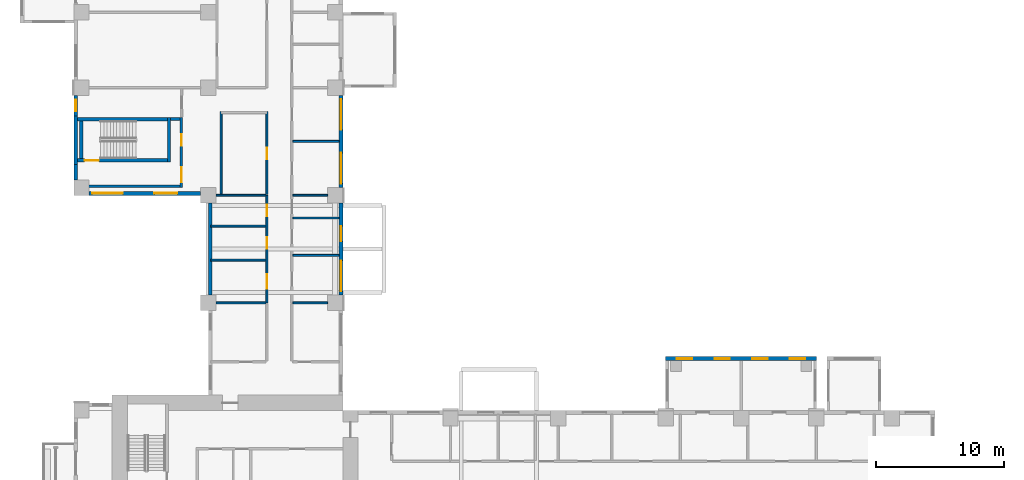
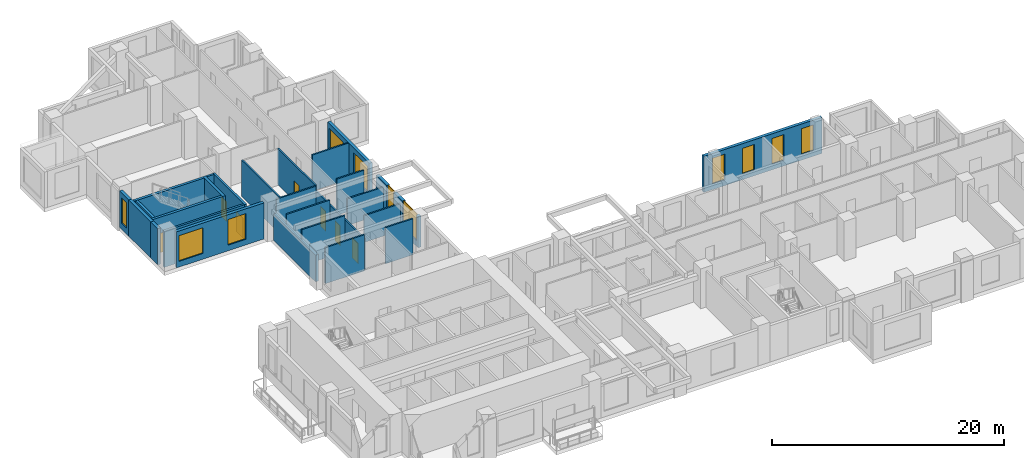
# One storey, part 6 of 15: 27 walls, 11 windows, 7 doors, 18 openings.
"""IFC4 building model written with IfcOpenShell, lengths in metres."""

import ifcopenshell
import ifcopenshell.guid

model = None  # the IFC model being written
_history = None  # IfcOwnerHistory: only IFC2X3 demands one
_inside = {}  # id of a spatial element -> (the spatial element, [elements in it])
_under = {}  # id of a project, library or spatial element -> (it, [spatial elements below it])
_declared = {}  # id of a project -> (the project, [libraries it declares])
_typed = {}  # id of a type object -> (the type object, [elements of that type])
_made_of = {}  # id of a material, layer set ... -> (it, [elements and type objects made of it])


def new_model(schema):
    """Start an empty IFC model of exactly this schema.

    Asked for "IFC4X3", IfcOpenShell would pick the latest addendum, in which some entities
    have other attributes; the version numbers below select the first issue.
    IFC2X3 requires an IfcOwnerHistory on every rooted entity: one is made here for all.
    """
    global model, _history
    if schema == "IFC4X3":
        model = ifcopenshell.file(schema_version=(4, 3, 0, 0))
    else:
        model = ifcopenshell.file(schema=schema)
    _inside.clear()
    _under.clear()
    _declared.clear()
    _typed.clear()
    _made_of.clear()
    _history = None
    if model.schema == "IFC2X3":
        org = make("IfcOrganization", Name="unknown")
        user = make(
            "IfcPersonAndOrganization",
            ThePerson=make("IfcPerson", FamilyName="unknown"),
            TheOrganization=org,
        )
        app = make(
            "IfcApplication",
            ApplicationDeveloper=org,
            Version="unknown",
            ApplicationFullName="unknown",
            ApplicationIdentifier="unknown",
        )
        _history = make(
            "IfcOwnerHistory",
            OwningUser=user,
            OwningApplication=app,
            ChangeAction="ADDED",
            CreationDate=0,
        )
    return model


def make(cls, **values):
    """One entity of the class cls with the attributes given. An attribute that is None is left unset."""
    return model.create_entity(
        cls, **{name: value for name, value in values.items() if value is not None}
    )


def rooted(cls, **values):
    """An entity with a GlobalId (a new one), such as an element, a storey or a relation."""
    return make(cls, GlobalId=ifcopenshell.guid.new(), OwnerHistory=_history, **values)


def si_unit(unit_type, name, prefix=None):
    """IfcSIUnit, for example si_unit("LENGTHUNIT", "METRE", prefix="MILLI")."""
    return make("IfcSIUnit", UnitType=unit_type, Prefix=prefix, Name=name)


def assignment(units):
    """IfcUnitAssignment: the units of a project."""
    return None if units is None else make("IfcUnitAssignment", Units=units)


def point(xyz):
    """IfcCartesianPoint."""
    return None if xyz is None else make("IfcCartesianPoint", Coordinates=xyz)


def direction(xyz):
    """IfcDirection."""
    return None if xyz is None else make("IfcDirection", DirectionRatios=xyz)


def frame(location, z_axis=None, x_axis=None):
    """IfcAxis2Placement3D, a coordinate frame: its origin and axes. An axis left out is left unset."""
    return make(
        "IfcAxis2Placement3D",
        Location=point(location),
        Axis=direction(z_axis),
        RefDirection=direction(x_axis),
    )


def frame_2d(location, x_axis=None):
    """IfcAxis2Placement2D, a coordinate frame in the plane: its origin and x axis."""
    return make(
        "IfcAxis2Placement2D", Location=point(location), RefDirection=direction(x_axis)
    )


def origin():
    """The frame at (0, 0, 0) with its axes left unset."""
    return frame((0.0, 0.0, 0.0))


def place(relative_to, where):
    """IfcLocalPlacement: puts the frame where relative to a parent placement (None: the world)."""
    return make(
        "IfcLocalPlacement", PlacementRelTo=relative_to, RelativePlacement=where
    )


def context(
    kind, dimensions, precision=None, world=None, true_north=None, identifier=None
):
    """IfcGeometricRepresentationContext, for example the 3D "Model" context."""
    return make(
        "IfcGeometricRepresentationContext",
        ContextIdentifier=identifier,
        ContextType=kind,
        CoordinateSpaceDimension=dimensions,
        Precision=precision,
        WorldCoordinateSystem=world,
        TrueNorth=true_north,
    )


def subcontext(parent, identifier, kind, view, scale=None):
    """IfcGeometricRepresentationSubContext, for example "Body" below "Model"."""
    return make(
        "IfcGeometricRepresentationSubContext",
        ContextIdentifier=identifier,
        ContextType=kind,
        ParentContext=parent,
        TargetScale=scale,
        TargetView=view,
    )


def project(units=None, contexts=None):
    """IfcProject with its units and contexts."""
    return rooted(
        "IfcProject",
        Name="project",
        RepresentationContexts=contexts,
        UnitsInContext=assignment(units),
    )


def spatial(cls, under=None, at=None, **own):
    """A site, building, storey or space (cls), placed at a placement, below another one or the project."""
    s = rooted(cls, ObjectPlacement=at, **own)
    if under is not None:
        _under.setdefault(under.id(), (under, []))[1].append(s)
    return s


def profile(cls, at=None, kind="AREA", **sizes):
    """A parametric profile (cls). Its sizes go by their IFC names, for example OverallWidth=200.0."""
    return make(cls, ProfileType=kind, Position=at, **sizes)


def rectangle(**sizes):
    """IfcRectangleProfileDef."""
    return profile("IfcRectangleProfileDef", **sizes)


def extrude(swept, where, along, depth):
    """IfcExtrudedAreaSolid: the profile swept, set in the frame where, extruded along a direction by depth."""
    return make(
        "IfcExtrudedAreaSolid",
        SweptArea=swept,
        Position=where,
        ExtrudedDirection=direction(along),
        Depth=depth,
    )


def shape(context_of_items, identifier, shape_type, items):
    """IfcShapeRepresentation: the items that make up one representation, for example the "Body"."""
    return make(
        "IfcShapeRepresentation",
        ContextOfItems=context_of_items,
        RepresentationIdentifier=identifier,
        RepresentationType=shape_type,
        Items=items,
    )


def source(mapping_origin, context_of_items, identifier, shape_type, items):
    """IfcRepresentationMap: a shape defined once, which mapped items show again and again."""
    return make(
        "IfcRepresentationMap",
        MappingOrigin=mapping_origin,
        MappedRepresentation=shape(context_of_items, identifier, shape_type, items),
    )


def transform(
    local_origin,
    x_axis=None,
    y_axis=None,
    z_axis=None,
    scale=None,
    scale2=None,
    scale3=None,
    uniform=True,
):
    """IfcCartesianTransformationOperator3D, or its non-uniform kind. x_axis, y_axis, z_axis: its Axis1, 2, 3."""
    if uniform:
        return make(
            "IfcCartesianTransformationOperator3D",
            Axis1=direction(x_axis),
            Axis2=direction(y_axis),
            LocalOrigin=point(local_origin),
            Scale=scale,
            Axis3=direction(z_axis),
        )
    return make(
        "IfcCartesianTransformationOperator3DnonUniform",
        Axis1=direction(x_axis),
        Axis2=direction(y_axis),
        LocalOrigin=point(local_origin),
        Scale=scale,
        Axis3=direction(z_axis),
        Scale2=scale2,
        Scale3=scale3,
    )


def mapped(mapping_source, mapping_target):
    """IfcMappedItem: shows the shape of a source again, moved by a transform."""
    return make(
        "IfcMappedItem", MappingSource=mapping_source, MappingTarget=mapping_target
    )


def material(Name=None, Category=None):
    """IfcMaterial."""
    return make("IfcMaterial", Name=Name, Category=Category)


def layer(
    of_material, thickness, ventilated=None, Name=None, Category=None, Priority=None
):
    """IfcMaterialLayer: one layer of a wall or slab, of a material (None: an air gap)."""
    return make(
        "IfcMaterialLayer",
        Material=of_material,
        LayerThickness=thickness,
        IsVentilated=ventilated,
        Name=Name,
        Category=Category,
        Priority=Priority,
    )


def layer_set(layers, Name=None):
    """IfcMaterialLayerSet."""
    return make("IfcMaterialLayerSet", MaterialLayers=layers, LayerSetName=Name)


def made_of(thing, what):
    """Note that an element or type object is made of a material, layer set ...; save() writes the relation."""
    if what is not None:
        _made_of.setdefault(what.id(), (what, []))[1].append(thing)
    return thing


def type_object(cls, material=None, **own):
    """A type object (cls), such as IfcWallType, which elements share."""
    return made_of(rooted(cls, **own), material)


def element(
    cls,
    number,
    at=None,
    inside=None,
    cuts=None,
    type_object=None,
    material=None,
    context=None,
    identifier="Body",
    shape_type=None,
    held_by="IfcProductDefinitionShape",
    body=None,
    shapes=None,
    **own,
):
    """One element of the class cls, such as IfcWall. Its Tag is "e" and its number.

    at: its placement. inside: the storey or other place that contains it. cuts: it is an
    opening in that element (IfcRelVoidsElement). A single representation is given by context,
    identifier, shape_type and body (its items); several are given by shapes. held_by: the class
    of the entity that holds the representations. save() writes the other relations.
    """
    e = rooted(cls, Tag="e%d" % number, ObjectPlacement=at, **own)
    if body is not None:
        shapes = [shape(context, identifier, shape_type, body)]
    if shapes is not None:
        e.Representation = make(held_by, Representations=shapes)
    if inside is not None:
        _inside.setdefault(inside.id(), (inside, []))[1].append(e)
    if cuts is not None:
        rooted(
            "IfcRelVoidsElement", RelatingBuildingElement=cuts, RelatedOpeningElement=e
        )
    if type_object is not None:
        _typed.setdefault(type_object.id(), (type_object, []))[1].append(e)
    return made_of(e, material)


def fill(opening, filler):
    """IfcRelFillsElement: the door or window that sits in an opening."""
    return rooted(
        "IfcRelFillsElement",
        RelatingOpeningElement=opening,
        RelatedBuildingElement=filler,
    )


def aggregate(whole, parts):
    """IfcRelAggregates: a whole, such as a stair, and the parts it consists of."""
    return rooted("IfcRelAggregates", RelatingObject=whole, RelatedObjects=parts)


def save(model, path):
    """Write the relations noted so far, then the file.

    IfcRelAggregates (storeys below a building ...), IfcRelContainedInSpatialStructure (elements
    in a storey), IfcRelDefinesByType, IfcRelAssociatesMaterial and IfcRelDeclares: one each for
    every whole, place, type object, material and project.
    """
    for whole, parts in _under.values():
        aggregate(whole, parts)
    for where, things in _inside.values():
        rooted(
            "IfcRelContainedInSpatialStructure",
            RelatedElements=things,
            RelatingStructure=where,
        )
    for kind, things in _typed.values():
        rooted("IfcRelDefinesByType", RelatedObjects=things, RelatingType=kind)
    for what, things in _made_of.values():
        rooted("IfcRelAssociatesMaterial", RelatedObjects=things, RelatingMaterial=what)
    for by, libraries in _declared.values():
        rooted("IfcRelDeclares", RelatingContext=by, RelatedDefinitions=libraries)
    model.write(path)


model = new_model("IFC4")

# Units and contexts
model_context = context("Model", 3, precision=1e-05, world=origin(), true_north=direction((0.0, 1.0)))
body_context = subcontext(model_context, "Body", "Model", "MODEL_VIEW")
ifc_project = project(units=[si_unit("LENGTHUNIT", "METRE"), si_unit("AREAUNIT", "SQUARE_METRE"), si_unit("VOLUMEUNIT", "CUBIC_METRE"), si_unit("PLANEANGLEUNIT", "RADIAN"), si_unit("MASSUNIT", "GRAM", prefix="KILO")], contexts=[model_context])

# Site, building, storey
site_placement = place(None, origin())
site = spatial("IfcSite", under=ifc_project, at=site_placement, CompositionType="ELEMENT")
building_placement = place(site_placement, origin())
building = spatial("IfcBuilding", under=site, at=building_placement, Name="Aurelian Terraces", CompositionType="ELEMENT")
storey_placement = place(building_placement, frame((0.0, 0.0, 74.1)))
storey = spatial("IfcBuildingStorey", under=building, at=storey_placement, Name="L15", CompositionType="ELEMENT", Elevation=74.1)

# Wall, openings, windows
ifc_material_1 = material(Name="Terracotta rainscreen cladding", Category="masonry")
ifc_layer_1 = layer(ifc_material_1, 0.3)
ifc_layer_set_1 = layer_set([ifc_layer_1], Name="EW-300")
wall_type_1 = type_object("IfcWallType", Name="EW-300", PredefinedType="STANDARD", material=ifc_layer_set_1)
shared_shape_1 = source(origin(), body_context, "Body", "SweptSolid", [
    extrude(rectangle(XDim=7.2, YDim=0.3, at=frame_2d((3.6, 0.0))), origin(), (0.0, 0.0, 1.0), 3.8),
])
wall_1_placement = place(storey_placement, frame((20.85, 38.4, 0.0), z_axis=(0.0, 0.0, 1.0), x_axis=(0.0, 1.0, 0.0)))
wall_1 = element("IfcWall", 1, at=wall_1_placement, inside=storey, type_object=wall_type_1, Name="External wall L15 F08.23", PredefinedType="STANDARD", context=body_context, shape_type="MappedRepresentation", body=[
    mapped(shared_shape_1, transform((0.0, 0.0, 0.0), scale=1.0)),
])
shared_shape_2 = source(origin(), body_context, "Body", "SweptSolid", [
    extrude(rectangle(XDim=2.4, YDim=2.7, at=frame_2d((1.2, 1.35))), frame((0.0, 0.16, 0.0), z_axis=(0.0, -1.0, 0.0), x_axis=(1.0, 0.0, 0.0)), (0.0, 0.0, 1.0), 0.32),
])
opening_1_placement = place(wall_1_placement, frame((0.3, 0.0, 0.6)))
opening_1 = element("IfcOpeningElement", 2, at=opening_1_placement, cuts=wall_1, Name="Opening W2427", PredefinedType="OPENING", context=body_context, shape_type="MappedRepresentation", body=[
    mapped(shared_shape_2, transform((0.0, 0.0, 0.0), scale=1.0)),
])
opening_2_placement = place(wall_1_placement, frame((4.5, 0.0, 0.6)))
opening_2 = element("IfcOpeningElement", 3, at=opening_2_placement, cuts=wall_1, Name="Opening W2427", PredefinedType="OPENING", context=body_context, shape_type="MappedRepresentation", body=[
    mapped(shared_shape_2, transform((0.0, 0.0, 0.0), scale=1.0)),
])
ifc_material_2 = material(Name="Clear glazing", Category="glass")
window_type_1 = type_object("IfcWindowType", Name="W-2400x2700", PartitioningType="SINGLE_PANEL", PredefinedType="WINDOW", material=ifc_material_2)
shared_shape_3 = source(origin(), body_context, "Body", "SweptSolid", [
    extrude(rectangle(XDim=2.4, YDim=2.7, at=frame_2d((1.2, 1.35))), frame((0.0, 0.03, 0.0), z_axis=(0.0, -1.0, 0.0), x_axis=(1.0, 0.0, 0.0)), (0.0, 0.0, 1.0), 0.06),
])
window_1_placement = place(opening_1_placement, origin())
window_1 = element("IfcWindow", 4, at=window_1_placement, inside=storey, type_object=window_type_1, Name="Window L15 L15-F08-23-0", OverallHeight=2.7, OverallWidth=2.4, PartitioningType="SINGLE_PANEL", PredefinedType="WINDOW", context=body_context, shape_type="MappedRepresentation", body=[
    mapped(shared_shape_3, transform((0.0, 0.0, 0.0), scale=1.0)),
])
fill(opening_1, window_1)
window_2_placement = place(opening_2_placement, origin())
window_2 = element("IfcWindow", 5, at=window_2_placement, inside=storey, type_object=window_type_1, Name="Window L15 L15-F08-23-1", OverallHeight=2.7, OverallWidth=2.4, PartitioningType="SINGLE_PANEL", PredefinedType="WINDOW", context=body_context, shape_type="MappedRepresentation", body=[
    mapped(shared_shape_3, transform((0.0, 0.0, 0.0), scale=1.0)),
])
fill(opening_2, window_2)

# Wall
shared_shape_4 = source(origin(), body_context, "Body", "SweptSolid", [
    extrude(rectangle(XDim=1.2, YDim=0.3, at=frame_2d((0.6, 0.0))), origin(), (0.0, 0.0, 1.0), 3.8),
])
wall_2_placement = place(storey_placement, frame((0.15, 40.2, 0.0), z_axis=(0.0, 0.0, 1.0), x_axis=(0.0, -1.0, 0.0)))
element("IfcWall", 6, at=wall_2_placement, inside=storey, type_object=wall_type_1, Name="External wall L15 F14.33", PredefinedType="STANDARD", context=body_context, shape_type="MappedRepresentation", body=[
    mapped(shared_shape_4, transform((0.0, 0.0, 0.0), scale=1.0)),
])

# Wall, opening, window
shared_shape_5 = source(origin(), body_context, "Body", "SweptSolid", [
    extrude(rectangle(XDim=1.6, YDim=0.3, at=frame_2d((0.8, 0.0))), origin(), (0.0, 0.0, 1.0), 3.8),
])
wall_3_placement = place(storey_placement, frame((0.15, 45.6, 0.0), z_axis=(0.0, 0.0, 1.0), x_axis=(0.0, -1.0, 0.0)))
wall_3 = element("IfcWall", 7, at=wall_3_placement, inside=storey, type_object=wall_type_1, Name="External wall L15 F14.33", PredefinedType="STANDARD", context=body_context, shape_type="MappedRepresentation", body=[
    mapped(shared_shape_5, transform((0.0, 0.0, 0.0), scale=1.0)),
])
shared_shape_6 = source(origin(), body_context, "Body", "SweptSolid", [
    extrude(rectangle(XDim=0.9, YDim=2.7, at=frame_2d((0.45, 1.35))), frame((0.0, 0.16, 0.0), z_axis=(0.0, -1.0, 0.0), x_axis=(1.0, 0.0, 0.0)), (0.0, 0.0, 1.0), 0.32),
])
opening_3_placement = place(wall_3_placement, frame((0.35, 0.0, 0.6)))
opening_3 = element("IfcOpeningElement", 8, at=opening_3_placement, cuts=wall_3, Name="Opening W0927", PredefinedType="OPENING", context=body_context, shape_type="MappedRepresentation", body=[
    mapped(shared_shape_6, transform((0.0, 0.0, 0.0), scale=1.0)),
])
window_type_2 = type_object("IfcWindowType", Name="W-900x2700", PartitioningType="SINGLE_PANEL", PredefinedType="WINDOW", material=ifc_material_2)
shared_shape_7 = source(origin(), body_context, "Body", "SweptSolid", [
    extrude(rectangle(XDim=0.9, YDim=2.7, at=frame_2d((0.45, 1.35))), frame((0.0, 0.03, 0.0), z_axis=(0.0, -1.0, 0.0), x_axis=(1.0, 0.0, 0.0)), (0.0, 0.0, 1.0), 0.06),
])
window_3_placement = place(opening_3_placement, origin())
window_3 = element("IfcWindow", 9, at=window_3_placement, inside=storey, type_object=window_type_2, Name="Window L15 L15-F14-33-P3", OverallHeight=2.7, OverallWidth=0.9, PartitioningType="SINGLE_PANEL", PredefinedType="WINDOW", context=body_context, shape_type="MappedRepresentation", body=[
    mapped(shared_shape_7, transform((0.0, 0.0, 0.0), scale=1.0)),
])
fill(opening_3, window_3)

# Wall
ifc_material_3 = material(Name="Concrete fc' 40 MPa", Category="concrete")
ifc_layer_2 = layer(ifc_material_3, 0.3)
ifc_layer_set_2 = layer_set([ifc_layer_2], Name="STAIR BAY WALL 300")
wall_type_2 = type_object("IfcWallType", Name="STAIR BAY WALL 300", PredefinedType="SOLIDWALL", material=ifc_layer_set_2)
shared_shape_8 = source(origin(), body_context, "Body", "SweptSolid", [
    extrude(rectangle(XDim=3.8, YDim=0.3, at=frame_2d((1.9, 0.0))), origin(), (0.0, 0.0, 1.0), 3.8),
])
wall_4_placement = place(storey_placement, frame((0.15, 44.0, 0.0), z_axis=(0.0, 0.0, 1.0), x_axis=(0.0, -1.0, 0.0)))
element("IfcWall", 10, at=wall_4_placement, inside=storey, type_object=wall_type_2, Name="Stair bay wall L15 F14.33", PredefinedType="SOLIDWALL", context=body_context, shape_type="MappedRepresentation", body=[
    mapped(shared_shape_8, transform((0.0, 0.0, 0.0), scale=1.0)),
])

# Wall, openings, windows
shared_shape_9 = source(origin(), body_context, "Body", "SweptSolid", [
    extrude(rectangle(XDim=7.2, YDim=0.3, at=frame_2d((3.6, 0.0))), origin(), (0.0, 0.0, 1.0), 3.3),
])
wall_5_placement = place(storey_placement, frame((20.85, 30.0, 0.0), z_axis=(0.0, 0.0, 1.0), x_axis=(0.0, 1.0, 0.0)))
wall_5 = element("IfcWall", 11, at=wall_5_placement, inside=storey, type_object=wall_type_1, Name="External wall L15 F08.22", PredefinedType="STANDARD", context=body_context, shape_type="MappedRepresentation", body=[
    mapped(shared_shape_9, transform((0.0, 0.0, 0.0), scale=1.0)),
])
opening_4_placement = place(wall_5_placement, frame((0.3, 0.0, 0.6)))
opening_4 = element("IfcOpeningElement", 12, at=opening_4_placement, cuts=wall_5, Name="Opening W2427", PredefinedType="OPENING", context=body_context, shape_type="MappedRepresentation", body=[
    mapped(shared_shape_2, transform((0.0, 0.0, 0.0), scale=1.0)),
])
shared_shape_10 = source(origin(), body_context, "Body", "SweptSolid", [
    extrude(rectangle(XDim=1.2, YDim=2.7, at=frame_2d((0.6, 1.35))), frame((0.0, 0.16, 0.0), z_axis=(0.0, -1.0, 0.0), x_axis=(1.0, 0.0, 0.0)), (0.0, 0.0, 1.0), 0.32),
])
opening_5_placement = place(wall_5_placement, frame((4.1995, 0.0, 0.6)))
opening_5 = element("IfcOpeningElement", 13, at=opening_5_placement, cuts=wall_5, Name="Opening W1227", PredefinedType="OPENING", context=body_context, shape_type="MappedRepresentation", body=[
    mapped(shared_shape_10, transform((0.0, 0.0, 0.0), scale=1.0)),
])
window_4_placement = place(opening_4_placement, origin())
window_4 = element("IfcWindow", 14, at=window_4_placement, inside=storey, type_object=window_type_1, Name="Window L15 L15-F08-22-0", OverallHeight=2.7, OverallWidth=2.4, PartitioningType="SINGLE_PANEL", PredefinedType="WINDOW", context=body_context, shape_type="MappedRepresentation", body=[
    mapped(shared_shape_3, transform((0.0, 0.0, 0.0), scale=1.0)),
])
fill(opening_4, window_4)
window_type_3 = type_object("IfcWindowType", Name="W-1200x2700", PartitioningType="SINGLE_PANEL", PredefinedType="WINDOW", material=ifc_material_2)
shared_shape_11 = source(origin(), body_context, "Body", "SweptSolid", [
    extrude(rectangle(XDim=1.2, YDim=2.7, at=frame_2d((0.6, 1.35))), frame((0.0, 0.03, 0.0), z_axis=(0.0, -1.0, 0.0), x_axis=(1.0, 0.0, 0.0)), (0.0, 0.0, 1.0), 0.06),
])
window_5_placement = place(opening_5_placement, origin())
window_5 = element("IfcWindow", 15, at=window_5_placement, inside=storey, type_object=window_type_3, Name="Window L15 L15-F08-22-G0-33", OverallHeight=2.7, OverallWidth=1.2, PartitioningType="SINGLE_PANEL", PredefinedType="WINDOW", context=body_context, shape_type="MappedRepresentation", body=[
    mapped(shared_shape_11, transform((0.0, 0.0, 0.0), scale=1.0)),
])
fill(opening_5, window_5)

shared_shape_12 = source(origin(), body_context, "Body", "SweptSolid", [
    extrude(rectangle(XDim=8.7, YDim=0.3, at=frame_2d((4.35, 0.0))), origin(), (0.0, 0.0, 1.0), 3.8),
])
wall_6_placement = place(storey_placement, frame((1.2, 37.95, 0.0), z_axis=(0.0, 0.0, 1.0), x_axis=(1.0, 0.0, 0.0)))
wall_6 = element("IfcWall", 16, at=wall_6_placement, inside=storey, type_object=wall_type_1, Name="External wall L15 F15.34", PredefinedType="STANDARD", context=body_context, shape_type="MappedRepresentation", body=[
    mapped(shared_shape_12, transform((0.0, 0.0, 0.0), scale=1.0)),
])
opening_6_placement = place(wall_6_placement, frame((0.225, 0.0, 0.6)))
opening_6 = element("IfcOpeningElement", 17, at=opening_6_placement, cuts=wall_6, Name="Opening W2427", PredefinedType="OPENING", context=body_context, shape_type="MappedRepresentation", body=[
    mapped(shared_shape_2, transform((0.0, 0.0, 0.0), scale=1.0)),
])
shared_shape_13 = source(origin(), body_context, "Body", "SweptSolid", [
    extrude(rectangle(XDim=1.8, YDim=2.7, at=frame_2d((0.9, 1.35))), frame((0.0, 0.16, 0.0), z_axis=(0.0, -1.0, 0.0), x_axis=(1.0, 0.0, 0.0)), (0.0, 0.0, 1.0), 0.32),
])
opening_7_placement = place(wall_6_placement, frame((5.0875, 0.0, 0.6)))
opening_7 = element("IfcOpeningElement", 18, at=opening_7_placement, cuts=wall_6, Name="Opening W1827", PredefinedType="OPENING", context=body_context, shape_type="MappedRepresentation", body=[
    mapped(shared_shape_13, transform((0.0, 0.0, 0.0), scale=1.0)),
])
window_6_placement = place(opening_6_placement, origin())
window_6 = element("IfcWindow", 19, at=window_6_placement, inside=storey, type_object=window_type_1, Name="Window L15 L15-F15-34-0", OverallHeight=2.7, OverallWidth=2.4, PartitioningType="SINGLE_PANEL", PredefinedType="WINDOW", context=body_context, shape_type="MappedRepresentation", body=[
    mapped(shared_shape_3, transform((0.0, 0.0, 0.0), scale=1.0)),
])
fill(opening_6, window_6)
window_type_4 = type_object("IfcWindowType", Name="W-1800x2700", PartitioningType="SINGLE_PANEL", PredefinedType="WINDOW", material=ifc_material_2)
shared_shape_14 = source(origin(), body_context, "Body", "SweptSolid", [
    extrude(rectangle(XDim=1.8, YDim=2.7, at=frame_2d((0.9, 1.35))), frame((0.0, 0.03, 0.0), z_axis=(0.0, -1.0, 0.0), x_axis=(1.0, 0.0, 0.0)), (0.0, 0.0, 1.0), 0.06),
])
window_7_placement = place(opening_7_placement, origin())
window_7 = element("IfcWindow", 20, at=window_7_placement, inside=storey, type_object=window_type_4, Name="Window L15 L15-F15-34-1", OverallHeight=2.7, OverallWidth=1.8, PartitioningType="SINGLE_PANEL", PredefinedType="WINDOW", context=body_context, shape_type="MappedRepresentation", body=[
    mapped(shared_shape_14, transform((0.0, 0.0, 0.0), scale=1.0)),
])
fill(opening_7, window_7)

ifc_layer_3 = layer(ifc_material_3, 0.3)
ifc_layer_set_3 = layer_set([ifc_layer_3], Name="BOX BEARING WALL 300")
wall_type_3 = type_object("IfcWallType", Name="BOX BEARING WALL 300", PredefinedType="SOLIDWALL", material=ifc_layer_set_3)
shared_shape_15 = source(origin(), body_context, "Body", "SweptSolid", [
    extrude(rectangle(XDim=11.76, YDim=0.3, at=frame_2d((5.88, 0.0))), origin(), (0.0, 0.0, 1.0), 3.79),
])
wall_7_placement = place(storey_placement, frame((57.96, 25.05, 0.0), z_axis=(0.0, 0.0, 1.0), x_axis=(-1.0, 0.0, 0.0)))
wall_7 = element("IfcWall", 21, at=wall_7_placement, inside=storey, type_object=wall_type_3, Name="Box wall L15 K01", PredefinedType="SOLIDWALL", context=body_context, shape_type="MappedRepresentation", body=[
    mapped(shared_shape_15, transform((0.0, 0.0, 0.0), scale=1.0)),
])
opening_8_placement = place(wall_7_placement, frame((0.87, 0.0, 0.6)))
opening_8 = element("IfcOpeningElement", 22, at=opening_8_placement, cuts=wall_7, Name="Opening W1227", PredefinedType="OPENING", context=body_context, shape_type="MappedRepresentation", body=[
    mapped(shared_shape_10, transform((0.0, 0.0, 0.0), scale=1.0)),
])
opening_9_placement = place(wall_7_placement, frame((3.81, 0.0, 0.6)))
opening_9 = element("IfcOpeningElement", 23, at=opening_9_placement, cuts=wall_7, Name="Opening W1227", PredefinedType="OPENING", context=body_context, shape_type="MappedRepresentation", body=[
    mapped(shared_shape_10, transform((0.0, 0.0, 0.0), scale=1.0)),
])
opening_10_placement = place(wall_7_placement, frame((6.75, 0.0, 0.6)))
opening_10 = element("IfcOpeningElement", 24, at=opening_10_placement, cuts=wall_7, Name="Opening W1227", PredefinedType="OPENING", context=body_context, shape_type="MappedRepresentation", body=[
    mapped(shared_shape_10, transform((0.0, 0.0, 0.0), scale=1.0)),
])
opening_11_placement = place(wall_7_placement, frame((9.69, 0.0, 0.6)))
opening_11 = element("IfcOpeningElement", 25, at=opening_11_placement, cuts=wall_7, Name="Opening W1227", PredefinedType="OPENING", context=body_context, shape_type="MappedRepresentation", body=[
    mapped(shared_shape_10, transform((0.0, 0.0, 0.0), scale=1.0)),
])
window_8_placement = place(opening_8_placement, origin())
window_8 = element("IfcWindow", 26, at=window_8_placement, inside=storey, type_object=window_type_3, Name="Window L15 K01-F1", OverallHeight=2.7, OverallWidth=1.2, PartitioningType="SINGLE_PANEL", PredefinedType="WINDOW", context=body_context, shape_type="MappedRepresentation", body=[
    mapped(shared_shape_11, transform((0.0, 0.0, 0.0), scale=1.0)),
])
fill(opening_8, window_8)
window_9_placement = place(opening_9_placement, origin())
window_9 = element("IfcWindow", 27, at=window_9_placement, inside=storey, type_object=window_type_3, Name="Window L15 K01-F2", OverallHeight=2.7, OverallWidth=1.2, PartitioningType="SINGLE_PANEL", PredefinedType="WINDOW", context=body_context, shape_type="MappedRepresentation", body=[
    mapped(shared_shape_11, transform((0.0, 0.0, 0.0), scale=1.0)),
])
fill(opening_9, window_9)
window_10_placement = place(opening_10_placement, origin())
window_10 = element("IfcWindow", 28, at=window_10_placement, inside=storey, type_object=window_type_3, Name="Window L15 K01-F3", OverallHeight=2.7, OverallWidth=1.2, PartitioningType="SINGLE_PANEL", PredefinedType="WINDOW", context=body_context, shape_type="MappedRepresentation", body=[
    mapped(shared_shape_11, transform((0.0, 0.0, 0.0), scale=1.0)),
])
fill(opening_10, window_10)
window_11_placement = place(opening_11_placement, origin())
window_11 = element("IfcWindow", 29, at=window_11_placement, inside=storey, type_object=window_type_3, Name="Window L15 K01-F4", OverallHeight=2.7, OverallWidth=1.2, PartitioningType="SINGLE_PANEL", PredefinedType="WINDOW", context=body_context, shape_type="MappedRepresentation", body=[
    mapped(shared_shape_11, transform((0.0, 0.0, 0.0), scale=1.0)),
])
fill(opening_11, window_11)

# Wall
shared_shape_16 = source(origin(), body_context, "Body", "SweptSolid", [
    extrude(rectangle(XDim=7.2, YDim=0.3, at=frame_2d((3.6, 0.0))), origin(), (0.0, 0.0, 1.0), 2.8),
])
wall_8_placement = place(storey_placement, frame((10.65, 37.2, 0.0), z_axis=(0.0, 0.0, 1.0), x_axis=(0.0, -1.0, 0.0)))
element("IfcWall", 30, at=wall_8_placement, inside=storey, type_object=wall_type_1, Name="External wall L15 F16.35", PredefinedType="STANDARD", context=body_context, shape_type="MappedRepresentation", body=[
    mapped(shared_shape_16, transform((0.0, 0.0, 0.0), scale=1.0)),
])

# Wall, opening, door
ifc_layer_4 = layer(ifc_material_3, 0.25)
ifc_layer_set_4 = layer_set([ifc_layer_4], Name="Stair enclosure wall 250")
wall_type_4 = type_object("IfcWallType", Name="Stair enclosure wall 250", PredefinedType="SOLIDWALL", material=ifc_layer_set_4)
shared_shape_17 = source(origin(), body_context, "Body", "SweptSolid", [
    extrude(rectangle(XDim=7.0, YDim=0.25, at=frame_2d((3.5, 0.0))), origin(), (0.0, 0.0, 1.0), 3.8),
])
wall_9_placement = place(storey_placement, frame((0.3, 40.525, 0.0), z_axis=(0.0, 0.0, 1.0), x_axis=(1.0, 0.0, 0.0)))
wall_9 = element("IfcWall", 31, at=wall_9_placement, inside=storey, type_object=wall_type_4, Name="L15 core wall ST-S3-W", PredefinedType="SOLIDWALL", context=body_context, shape_type="MappedRepresentation", body=[
    mapped(shared_shape_17, transform((0.0, 0.0, 0.0), scale=1.0)),
])
shared_shape_18 = source(origin(), body_context, "Body", "SweptSolid", [
    extrude(rectangle(XDim=1.1, YDim=2.1, at=frame_2d((0.55, 1.05))), frame((0.0, 0.135, 0.0), z_axis=(0.0, -1.0, 0.0), x_axis=(1.0, 0.0, 0.0)), (0.0, 0.0, 1.0), 0.27),
])
opening_12_placement = place(wall_9_placement, frame((0.55, 0.0, 0.0)))
opening_12 = element("IfcOpeningElement", 32, at=opening_12_placement, cuts=wall_9, Name="Opening 61817", PredefinedType="OPENING", context=body_context, shape_type="MappedRepresentation", body=[
    mapped(shared_shape_18, transform((0.0, 0.0, 0.0), scale=1.0)),
])
ifc_material_4 = material(Name="Steel door leaf", Category="steel")
door_type_1 = type_object("IfcDoorType", Name="Core fire door 1100x2100 right", OperationType="SINGLE_SWING_RIGHT", PredefinedType="DOOR", material=ifc_material_4)
shared_shape_19 = source(origin(), body_context, "Body", "SweptSolid", [
    extrude(rectangle(XDim=1.1, YDim=2.1, at=frame_2d((0.55, 1.05))), frame((0.0, 0.025, 0.0), z_axis=(0.0, -1.0, 0.0), x_axis=(1.0, 0.0, 0.0)), (0.0, 0.0, 1.0), 0.05),
])
door_1_placement = place(opening_12_placement, origin())
door_1 = element("IfcDoor", 33, at=door_1_placement, inside=storey, type_object=door_type_1, Name="Stair door 61817", OperationType="SINGLE_SWING_RIGHT", OverallHeight=2.1, OverallWidth=1.1, PredefinedType="DOOR", context=body_context, shape_type="MappedRepresentation", body=[
    mapped(shared_shape_19, transform((0.0, 0.0, 0.0), scale=1.0)),
])
fill(opening_12, door_1)

# Walls
wall_10_placement = place(storey_placement, frame((0.3, 43.725, 0.0), z_axis=(0.0, 0.0, 1.0), x_axis=(1.0, 0.0, 0.0)))
element("IfcWall", 34, at=wall_10_placement, inside=storey, type_object=wall_type_4, Name="L15 core wall ST-S3-E", PredefinedType="SOLIDWALL", context=body_context, shape_type="MappedRepresentation", body=[
    mapped(shared_shape_17, transform((0.0, 0.0, 0.0), scale=1.0)),
])
shared_shape_20 = source(origin(), body_context, "Body", "SweptSolid", [
    extrude(rectangle(XDim=3.45, YDim=0.25, at=frame_2d((1.725, 0.0))), origin(), (0.0, 0.0, 1.0), 3.8),
])
wall_11_placement = place(storey_placement, frame((7.425, 40.4, 0.0), z_axis=(0.0, 0.0, 1.0), x_axis=(0.0, 1.0, 0.0)))
element("IfcWall", 35, at=wall_11_placement, inside=storey, type_object=wall_type_4, Name="L15 core wall ST-S3-N", PredefinedType="SOLIDWALL", context=body_context, shape_type="MappedRepresentation", body=[
    mapped(shared_shape_20, transform((0.0, 0.0, 0.0), scale=1.0)),
])
shared_shape_21 = source(origin(), body_context, "Body", "SweptSolid", [
    extrude(rectangle(XDim=2.95, YDim=0.25, at=frame_2d((1.475, 0.0))), origin(), (0.0, 0.0, 1.0), 3.8),
])
wall_12_placement = place(storey_placement, frame((0.575, 40.65, 0.0), z_axis=(0.0, 0.0, 1.0), x_axis=(0.0, 1.0, 0.0)))
element("IfcWall", 36, at=wall_12_placement, inside=storey, type_object=wall_type_4, Name="L15 core wall ST-S3-SS", PredefinedType="SOLIDWALL", context=body_context, shape_type="MappedRepresentation", body=[
    mapped(shared_shape_21, transform((0.0, 0.0, 0.0), scale=1.0)),
])
ifc_material_5 = material(Name="Gypsum board on steel studs", Category="steel")
ifc_layer_5 = layer(ifc_material_5, 0.2)
ifc_layer_set_5 = layer_set([ifc_layer_5], Name="Core partition 200")
wall_type_5 = type_object("IfcWallType", Name="Core partition 200", PredefinedType="PARTITIONING", material=ifc_layer_set_5)
shared_shape_22 = source(origin(), body_context, "Body", "SweptSolid", [
    extrude(rectangle(XDim=8.0, YDim=0.2, at=frame_2d((4.0, 0.0))), origin(), (0.0, 0.0, 1.0), 3.8),
])
wall_13_placement = place(storey_placement, frame((0.3, 38.5, 0.0), z_axis=(0.0, 0.0, 1.0), x_axis=(1.0, 0.0, 0.0)))
element("IfcWall", 37, at=wall_13_placement, inside=storey, type_object=wall_type_5, Name="L15 core wall ST-S3-VW", PredefinedType="PARTITIONING", context=body_context, shape_type="MappedRepresentation", body=[
    mapped(shared_shape_22, transform((0.0, 0.0, 0.0), scale=1.0)),
])

# Wall, openings, doors
shared_shape_23 = source(origin(), body_context, "Body", "SweptSolid", [
    extrude(rectangle(XDim=5.45, YDim=0.2, at=frame_2d((2.725, 0.0))), origin(), (0.0, 0.0, 1.0), 3.8),
])
wall_14_placement = place(storey_placement, frame((8.4, 38.4, 0.0), z_axis=(0.0, 0.0, 1.0), x_axis=(0.0, 1.0, 0.0)))
wall_14 = element("IfcWall", 38, at=wall_14_placement, inside=storey, type_object=wall_type_5, Name="L15 core wall ST-S3-BN", PredefinedType="PARTITIONING", context=body_context, shape_type="MappedRepresentation", body=[
    mapped(shared_shape_23, transform((0.0, 0.0, 0.0), scale=1.0)),
])
shared_shape_24 = source(origin(), body_context, "Body", "SweptSolid", [
    extrude(rectangle(XDim=1.2, YDim=2.1, at=frame_2d((0.6, 1.05))), frame((0.0, 0.11, 0.0), z_axis=(0.0, -1.0, 0.0), x_axis=(1.0, 0.0, 0.0)), (0.0, 0.0, 1.0), 0.22),
])
opening_13_placement = place(wall_14_placement, frame((0.4, 0.0, 0.0)))
opening_13 = element("IfcOpeningElement", 39, at=opening_13_placement, cuts=wall_14, Name="Opening 61818", PredefinedType="OPENING", context=body_context, shape_type="MappedRepresentation", body=[
    mapped(shared_shape_24, transform((0.0, 0.0, 0.0), scale=1.0)),
])
shared_shape_25 = source(origin(), body_context, "Body", "SweptSolid", [
    extrude(rectangle(XDim=0.9, YDim=2.1, at=frame_2d((0.45, 1.05))), frame((0.0, 0.11, 0.0), z_axis=(0.0, -1.0, 0.0), x_axis=(1.0, 0.0, 0.0)), (0.0, 0.0, 1.0), 0.22),
])
opening_14_placement = place(wall_14_placement, frame((3.25, 0.0, 0.0)))
opening_14 = element("IfcOpeningElement", 40, at=opening_14_placement, cuts=wall_14, Name="Opening 61819", PredefinedType="OPENING", context=body_context, shape_type="MappedRepresentation", body=[
    mapped(shared_shape_25, transform((0.0, 0.0, 0.0), scale=1.0)),
])
door_type_2 = type_object("IfcDoorType", Name="Core riser door 900x2100 right", OperationType="SINGLE_SWING_RIGHT", PredefinedType="DOOR", material=ifc_material_4)
shared_shape_26 = source(origin(), body_context, "Body", "SweptSolid", [
    extrude(rectangle(XDim=0.9, YDim=2.1, at=frame_2d((0.45, 1.05))), frame((0.0, 0.025, 0.0), z_axis=(0.0, -1.0, 0.0), x_axis=(1.0, 0.0, 0.0)), (0.0, 0.0, 1.0), 0.05),
])
door_2_placement = place(opening_14_placement, origin())
door_2 = element("IfcDoor", 41, at=door_2_placement, inside=storey, type_object=door_type_2, Name="Riser door 61819", OperationType="SINGLE_SWING_RIGHT", OverallHeight=2.1, OverallWidth=0.9, PredefinedType="DOOR", context=body_context, shape_type="MappedRepresentation", body=[
    mapped(shared_shape_26, transform((0.0, 0.0, 0.0), scale=1.0)),
])
fill(opening_14, door_2)
door_type_3 = type_object("IfcDoorType", Name="Core fire door 1200x2100", OperationType="SINGLE_SWING_LEFT", PredefinedType="DOOR", material=ifc_material_4)
shared_shape_27 = source(origin(), body_context, "Body", "SweptSolid", [
    extrude(rectangle(XDim=1.2, YDim=2.1, at=frame_2d((0.6, 1.05))), frame((0.0, 0.025, 0.0), z_axis=(0.0, -1.0, 0.0), x_axis=(1.0, 0.0, 0.0)), (0.0, 0.0, 1.0), 0.05),
])
door_3_placement = place(opening_13_placement, origin())
door_3 = element("IfcDoor", 42, at=door_3_placement, inside=storey, type_object=door_type_3, Name="Vestibule door 61818", OperationType="SINGLE_SWING_LEFT", OverallHeight=2.1, OverallWidth=1.2, PredefinedType="DOOR", context=body_context, shape_type="MappedRepresentation", body=[
    mapped(shared_shape_27, transform((0.0, 0.0, 0.0), scale=1.0)),
])
fill(opening_13, door_3)

# Walls
shared_shape_28 = source(origin(), body_context, "Body", "SweptSolid", [
    extrude(rectangle(XDim=0.75, YDim=0.2, at=frame_2d((0.375, 0.0))), origin(), (0.0, 0.0, 1.0), 3.8),
])
wall_15_placement = place(storey_placement, frame((7.55, 43.75, 0.0), z_axis=(0.0, 0.0, 1.0), x_axis=(1.0, 0.0, 0.0)))
element("IfcWall", 43, at=wall_15_placement, inside=storey, type_object=wall_type_5, Name="L15 core wall ST-S3-RE", PredefinedType="PARTITIONING", context=body_context, shape_type="MappedRepresentation", body=[
    mapped(shared_shape_28, transform((0.0, 0.0, 0.0), scale=1.0)),
])
ifc_layer_6 = layer(ifc_material_5, 0.15)
ifc_layer_set_6 = layer_set([ifc_layer_6], Name="Partition 150")
wall_type_6 = type_object("IfcWallType", Name="Partition 150", PredefinedType="PARTITIONING", material=ifc_layer_set_6)
shared_shape_29 = source(origin(), body_context, "Body", "SweptSolid", [
    extrude(rectangle(XDim=6.45, YDim=0.15, at=frame_2d((3.225, 0.0))), origin(), (0.0, 0.0, 1.0), 3.8),
])
wall_16_placement = place(storey_placement, frame((11.5, 44.325, 0.0), z_axis=(0.0, 0.0, 1.0), x_axis=(0.0, -1.0, 0.0)))
element("IfcWall", 44, at=wall_16_placement, inside=storey, type_object=wall_type_6, Name="Partition", PredefinedType="PARTITIONING", context=body_context, shape_type="MappedRepresentation", body=[
    mapped(shared_shape_29, transform((0.0, 0.0, 0.0), scale=1.0)),
])

# Wall, opening, door
ifc_layer_7 = layer(ifc_material_5, 0.15)
ifc_layer_set_7 = layer_set([ifc_layer_7], Name="Fire partition 150")
wall_type_7 = type_object("IfcWallType", Name="Fire partition 150", PredefinedType="PARTITIONING", material=ifc_layer_set_7)
wall_17_placement = place(storey_placement, frame((15.075, 37.875, 0.0), z_axis=(0.0, 0.0, 1.0), x_axis=(0.0, 1.0, 0.0)))
wall_17 = element("IfcWall", 45, at=wall_17_placement, inside=storey, type_object=wall_type_7, Name="Corridor wall", PredefinedType="PARTITIONING", context=body_context, shape_type="MappedRepresentation", body=[
    mapped(shared_shape_29, transform((0.0, 0.0, 0.0), scale=1.0)),
])
shared_shape_30 = source(origin(), body_context, "Body", "SweptSolid", [
    extrude(rectangle(XDim=0.9, YDim=2.1, at=frame_2d((0.45, 1.05))), frame((0.0, 0.085, 0.0), z_axis=(0.0, -1.0, 0.0), x_axis=(1.0, 0.0, 0.0)), (0.0, 0.0, 1.0), 0.17),
])
opening_15_placement = place(wall_17_placement, frame((2.7375, 0.0, 0.0)))
opening_15 = element("IfcOpeningElement", 46, at=opening_15_placement, cuts=wall_17, Name="Opening 715031", PredefinedType="OPENING", context=body_context, shape_type="MappedRepresentation", body=[
    mapped(shared_shape_30, transform((0.0, 0.0, 0.0), scale=1.0)),
])
ifc_material_6 = material(Name="Timber door leaf", Category="wood")
door_type_4 = type_object("IfcDoorType", Name="Room door 900x2100 right", OperationType="SINGLE_SWING_RIGHT", PredefinedType="DOOR", material=ifc_material_6)
door_4_placement = place(opening_15_placement, origin())
door_4 = element("IfcDoor", 47, at=door_4_placement, inside=storey, type_object=door_type_4, Name="Door 715031", OperationType="SINGLE_SWING_RIGHT", OverallHeight=2.1, OverallWidth=0.9, PredefinedType="DOOR", context=body_context, shape_type="MappedRepresentation", body=[
    mapped(shared_shape_26, transform((0.0, 0.0, 0.0), scale=1.0)),
])
fill(opening_15, door_4)

# Walls
shared_shape_31 = source(origin(), body_context, "Body", "SweptSolid", [
    extrude(rectangle(XDim=3.6, YDim=0.15, at=frame_2d((1.8, 0.0))), origin(), (0.0, 0.0, 1.0), 3.8),
])
wall_18_placement = place(storey_placement, frame((17.1, 42.0, 0.0), z_axis=(0.0, 0.0, 1.0), x_axis=(1.0, 0.0, 0.0)))
element("IfcWall", 48, at=wall_18_placement, inside=storey, type_object=wall_type_6, Name="Partition", PredefinedType="PARTITIONING", context=body_context, shape_type="MappedRepresentation", body=[
    mapped(shared_shape_31, transform((0.0, 0.0, 0.0), scale=1.0)),
])
shared_shape_32 = source(origin(), body_context, "Body", "SweptSolid", [
    extrude(rectangle(XDim=2.701, YDim=0.15, at=frame_2d((1.3505, 0.0))), origin(), (0.0, 0.0, 1.0), 3.8),
])
for number, where, z_axis, x_axis, name in (
    (49, (19.801, 29.4, 0.0), (0.0, 0.0, 1.0), (-1.0, 0.0, 0.0), "Partition"),
    (50, (19.801, 37.8, 0.0), (0.0, 0.0, 1.0), (-1.0, 0.0, 0.0), "Partition"),
):
    element("IfcWall", number, at=place(storey_placement, frame(where, z_axis=z_axis, x_axis=x_axis)), inside=storey, type_object=wall_type_6, Name=name, PredefinedType="PARTITIONING", context=body_context, shape_type="MappedRepresentation", body=[
        mapped(shared_shape_32, transform((0.0, 0.0, 0.0), scale=1.0)),
    ])
shared_shape_33 = source(origin(), body_context, "Body", "SweptSolid", [
    extrude(rectangle(XDim=3.901, YDim=0.15, at=frame_2d((1.9505, 0.0))), origin(), (0.0, 0.0, 1.0), 3.8),
])
for number, where, z_axis, x_axis, name in (
    (51, (15.0, 29.4, 0.0), (0.0, 0.0, 1.0), (-1.0, 0.0, 0.0), "Partition"),
    (52, (15.0, 37.8, 0.0), (0.0, 0.0, 1.0), (-1.0, 0.0, 0.0), "Partition"),
):
    element("IfcWall", number, at=place(storey_placement, frame(where, z_axis=z_axis, x_axis=x_axis)), inside=storey, type_object=wall_type_6, Name=name, PredefinedType="PARTITIONING", context=body_context, shape_type="MappedRepresentation", body=[
        mapped(shared_shape_33, transform((0.0, 0.0, 0.0), scale=1.0)),
    ])
shared_shape_34 = source(origin(), body_context, "Body", "SweptSolid", [
    extrude(rectangle(XDim=3.6, YDim=0.15, at=frame_2d((1.8, 0.0))), origin(), (0.0, 0.0, 1.0), 2.8),
])
for number, where, z_axis, x_axis, name in (
    (53, (17.1, 33.1133, 0.0), (0.0, 0.0, 1.0), (1.0, 0.0, 0.0), "Partition"),
    (54, (17.1, 36.024, 0.0), (0.0, 0.0, 1.0), (1.0, 0.0, 0.0), "Partition"),
):
    element("IfcWall", number, at=place(storey_placement, frame(where, z_axis=z_axis, x_axis=x_axis)), inside=storey, type_object=wall_type_6, Name=name, PredefinedType="PARTITIONING", context=body_context, shape_type="MappedRepresentation", body=[
        mapped(shared_shape_34, transform((0.0, 0.0, 0.0), scale=1.0)),
    ])

# Wall, openings, doors
shared_shape_35 = source(origin(), body_context, "Body", "SweptSolid", [
    extrude(rectangle(XDim=8.4, YDim=0.15, at=frame_2d((4.2, 0.0))), origin(), (0.0, 0.0, 1.0), 3.3),
])
wall_19_placement = place(storey_placement, frame((15.075, 29.4, 0.0), z_axis=(0.0, 0.0, 1.0), x_axis=(0.0, 1.0, 0.0)))
wall_19 = element("IfcWall", 55, at=wall_19_placement, inside=storey, type_object=wall_type_7, Name="Corridor wall", PredefinedType="PARTITIONING", context=body_context, shape_type="MappedRepresentation", body=[
    mapped(shared_shape_35, transform((0.0, 0.0, 0.0), scale=1.0)),
])
shared_shape_36 = source(origin(), body_context, "Body", "SweptSolid", [
    extrude(rectangle(XDim=1.1, YDim=2.1, at=frame_2d((0.55, 1.05))), frame((0.0, 0.085, 0.0), z_axis=(0.0, -1.0, 0.0), x_axis=(1.0, 0.0, 0.0)), (0.0, 0.0, 1.0), 0.17),
])
opening_16_placement = place(wall_19_placement, frame((1.1203, 0.0, 0.0)))
opening_16 = element("IfcOpeningElement", 56, at=opening_16_placement, cuts=wall_19, Name="Opening 715033", PredefinedType="OPENING", context=body_context, shape_type="MappedRepresentation", body=[
    mapped(shared_shape_36, transform((0.0, 0.0, 0.0), scale=1.0)),
])
opening_17_placement = place(wall_19_placement, frame((4.2141, 0.0, 0.0)))
opening_17 = element("IfcOpeningElement", 57, at=opening_17_placement, cuts=wall_19, Name="Opening 715034", PredefinedType="OPENING", context=body_context, shape_type="MappedRepresentation", body=[
    mapped(shared_shape_30, transform((0.0, 0.0, 0.0), scale=1.0)),
])
opening_18_placement = place(wall_19_placement, frame((6.7438, 0.0, 0.0)))
opening_18 = element("IfcOpeningElement", 58, at=opening_18_placement, cuts=wall_19, Name="Opening 715035", PredefinedType="OPENING", context=body_context, shape_type="MappedRepresentation", body=[
    mapped(shared_shape_30, transform((0.0, 0.0, 0.0), scale=1.0)),
])
door_type_5 = type_object("IfcDoorType", Name="Room door 900x2100 left", OperationType="SINGLE_SWING_LEFT", PredefinedType="DOOR", material=ifc_material_6)
door_5_placement = place(opening_17_placement, origin())
door_5 = element("IfcDoor", 59, at=door_5_placement, inside=storey, type_object=door_type_5, Name="Door 715034", OperationType="SINGLE_SWING_LEFT", OverallHeight=2.1, OverallWidth=0.9, PredefinedType="DOOR", context=body_context, shape_type="MappedRepresentation", body=[
    mapped(shared_shape_26, transform((0.0, 0.0, 0.0), scale=1.0)),
])
fill(opening_17, door_5)
door_6_placement = place(opening_18_placement, origin())
door_6 = element("IfcDoor", 60, at=door_6_placement, inside=storey, type_object=door_type_4, Name="Door 715035", OperationType="SINGLE_SWING_RIGHT", OverallHeight=2.1, OverallWidth=0.9, PredefinedType="DOOR", context=body_context, shape_type="MappedRepresentation", body=[
    mapped(shared_shape_26, transform((0.0, 0.0, 0.0), scale=1.0)),
])
fill(opening_18, door_6)
door_type_6 = type_object("IfcDoorType", Name="Room door 1100x2100 left", OperationType="SINGLE_SWING_LEFT", PredefinedType="DOOR", material=ifc_material_6)
door_7_placement = place(opening_16_placement, origin())
door_7 = element("IfcDoor", 61, at=door_7_placement, inside=storey, type_object=door_type_6, Name="Door 715033", OperationType="SINGLE_SWING_LEFT", OverallHeight=2.1, OverallWidth=1.1, PredefinedType="DOOR", context=body_context, shape_type="MappedRepresentation", body=[
    mapped(shared_shape_19, transform((0.0, 0.0, 0.0), scale=1.0)),
])
fill(opening_16, door_7)

# Walls
shared_shape_37 = source(origin(), body_context, "Body", "SweptSolid", [
    extrude(rectangle(XDim=4.295, YDim=0.15, at=frame_2d((2.1475, 0.0))), origin(), (0.0, 0.0, 1.0), 3.8),
])
for number, where, z_axis, x_axis, name in (
    (62, (15.0, 32.7405, 0.0), (0.0, 0.0, 1.0), (-1.0, 0.0, 0.0), "Partition"),
    (63, (15.0, 35.3877, 0.0), (0.0, 0.0, 1.0), (-1.0, 0.0, 0.0), "Partition"),
):
    element("IfcWall", number, at=place(storey_placement, frame(where, z_axis=z_axis, x_axis=x_axis)), inside=storey, type_object=wall_type_6, Name=name, PredefinedType="PARTITIONING", context=body_context, shape_type="MappedRepresentation", body=[
        mapped(shared_shape_37, transform((0.0, 0.0, 0.0), scale=1.0)),
    ])

save(model, "model.ifc")
